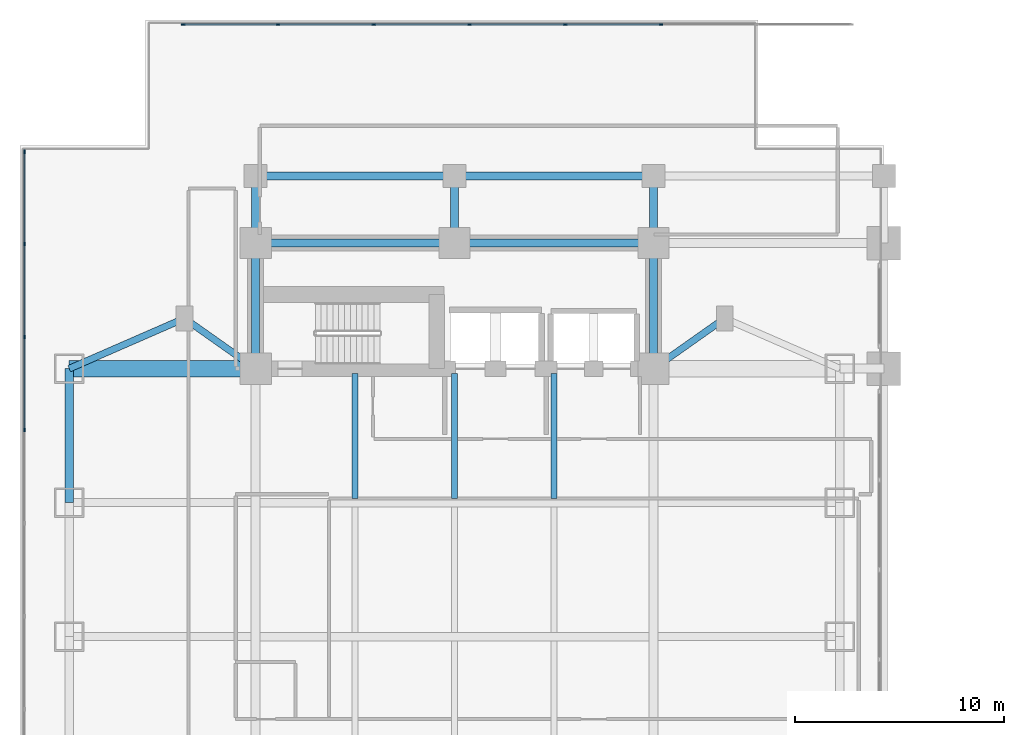
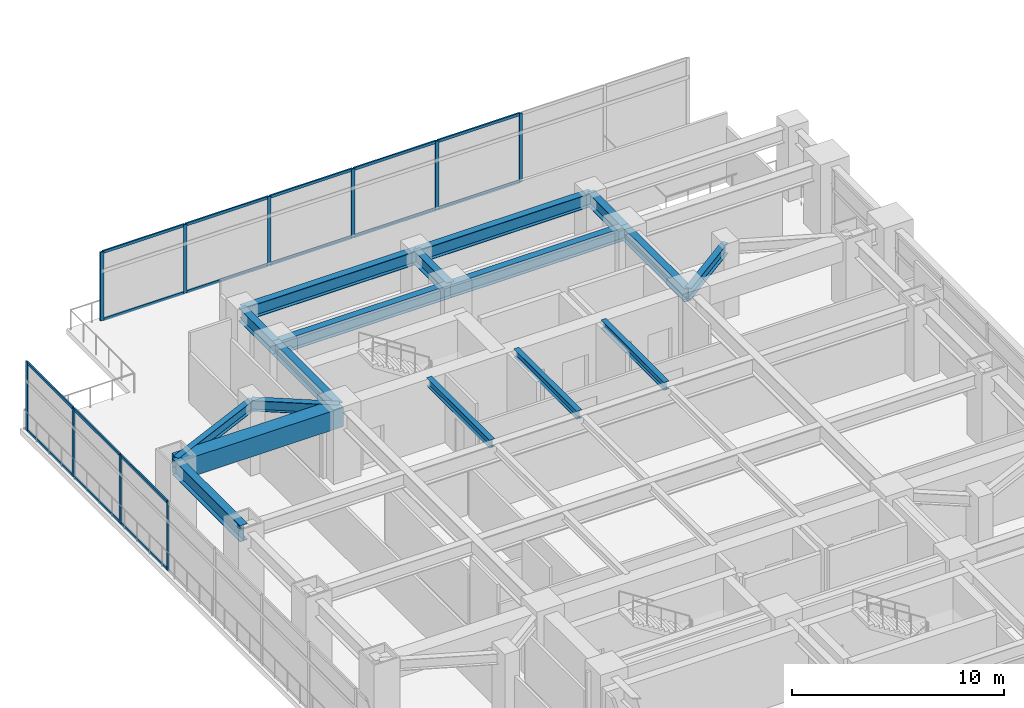
# One storey, part 6 of 31: 26 members, 17 beams, 2 elements without a shape of their own.
"""IFC4 building model written with IfcOpenShell, lengths in metres."""

from ifc_helpers import new_model, si_unit, direction, frame, origin, origin_2d, place, context, subcontext, project, spatial, rectangle, i_section, extrude, material, material_profile, profile_set, type_object, element, aggregate, save


model = new_model("IFC4")

# Units and contexts
model_context = context("Model", 3, precision=1e-05, world=origin(), true_north=direction((0.0, 1.0)))
body_context = subcontext(model_context, "Body", "Model", "MODEL_VIEW")
ifc_project = project(units=[si_unit("LENGTHUNIT", "METRE"), si_unit("AREAUNIT", "SQUARE_METRE"), si_unit("VOLUMEUNIT", "CUBIC_METRE"), si_unit("PLANEANGLEUNIT", "RADIAN"), si_unit("MASSUNIT", "GRAM", prefix="KILO")], contexts=[model_context])

# Site, building, storey
site_placement = place(None, origin())
site = spatial("IfcSite", under=ifc_project, at=site_placement, CompositionType="ELEMENT")
building_placement = place(site_placement, origin())
building = spatial("IfcBuilding", under=site, at=building_placement, Name="Mirazonda Arch Towers", CompositionType="ELEMENT")
storey_placement = place(building_placement, frame((0.0, 0.0, 5.199951171875)))
storey = spatial("IfcBuildingStorey", under=building, at=storey_placement, Name="L01", CompositionType="ELEMENT", Elevation=5.199951171875)

# Beams
ifc_material_1 = material(Name="Steel ASTM A992 Grade 50", Category="steel")
ifc_material_profile_1 = material_profile(ifc_material_1, i_section(OverallWidth=0.381103515625, OverallDepth=0.77294921875, WebThickness=0.0166015625, FlangeThickness=0.027099609375, at=origin_2d()), Name="W30X173")
ifc_profile_set_1 = profile_set([ifc_material_profile_1], Name="Steel ASTM A992 Grade 50")
beam_type_1 = type_object("IfcBeamType", Name="BM-EXT-W30X173", PredefinedType="USERDEFINED", material=ifc_profile_set_1)
for number, where, z_axis, x_axis, name in (
    (1, (11.0, 46.800048828125, 3.593505859375), (1.0, 0.0, 0.0), (0.0, 1.0, 0.0), "L01 Floor Beam BM-POD-L01-PN-1"),
    (2, (20.5, 46.800048828125, 3.593505859375), (1.0, 0.0, 0.0), (0.0, 1.0, 0.0), "L01 Floor Beam BM-POD-L01-PN-2"),
):
    element("IfcBeam", number, at=place(storey_placement, frame(where, z_axis=z_axis, x_axis=x_axis)), inside=storey, type_object=beam_type_1, Name=name, ObjectType="GIRDER", PredefinedType="USERDEFINED", context=body_context, shape_type="SweptSolid", body=[
        extrude(i_section(OverallWidth=0.381103515625, OverallDepth=0.77294921875, WebThickness=0.0166015625, FlangeThickness=0.027099609375, at=origin_2d()), origin(), (0.0, 0.0, 1.0), 9.5),
    ])
ifc_material_profile_2 = material_profile(ifc_material_1, i_section(OverallWidth=0.41796875, OverallDepth=0.927001953125, WebThickness=0.019287109375, FlangeThickness=0.031982421875, at=origin_2d()), Name="W36X231")
ifc_profile_set_2 = profile_set([ifc_material_profile_2], Name="Steel ASTM A992 Grade 50")
beam_type_2 = type_object("IfcBeamType", Name="BM-EXT-W36X231", PredefinedType="USERDEFINED", material=ifc_profile_set_2)
beam_1_placement = place(storey_placement, frame((2.10009765625, 31.199951171875, 3.5166015625), z_axis=(0.0, 1.0, 0.0), x_axis=(-1.0, 0.0, 0.0)))
element("IfcBeam", 3, at=beam_1_placement, inside=storey, type_object=beam_type_2, Name="L01 Floor Beam BM-T1-L01-NS-W-31", ObjectType="GIRDER", PredefinedType="USERDEFINED", context=body_context, shape_type="SweptSolid", body=[
    extrude(i_section(OverallWidth=0.41796875, OverallDepth=0.927001953125, WebThickness=0.019287109375, FlangeThickness=0.031982421875, at=origin_2d()), origin(), (0.0, 0.0, 1.0), 6.400146484375),
])
ifc_material_profile_3 = material_profile(ifc_material_1, i_section(OverallWidth=0.280029296875, OverallDepth=0.462890625, WebThickness=0.0107421875, FlangeThickness=0.017333984375, at=origin_2d()), Name="W18X76")
ifc_profile_set_3 = profile_set([ifc_material_profile_3], Name="Steel ASTM A992 Grade 50")
beam_type_3 = type_object("IfcBeamType", Name="BM-INT-W18X76", PredefinedType="JOIST", material=ifc_profile_set_3)
for number, where, z_axis, x_axis, name in (
    (4, (15.75, 31.406005859375, 3.74853515625), (0.0, 1.0, 0.0), (-1.0, 0.0, 0.0), "L01 Floor Beam BM-T1-L01-J-157-31"),
    (5, (20.5, 31.406005859375, 3.74853515625), (0.0, 1.0, 0.0), (-1.0, 0.0, 0.0), "L01 Floor Beam BM-T1-L01-J-205-31"),
    (6, (25.25, 31.406005859375, 3.74853515625), (0.0, 1.0, 0.0), (-1.0, 0.0, 0.0), "L01 Floor Beam BM-T1-L01-J-252-31"),
):
    element("IfcBeam", number, at=place(storey_placement, frame(where, z_axis=z_axis, x_axis=x_axis)), inside=storey, type_object=beam_type_3, Name=name, PredefinedType="JOIST", context=body_context, shape_type="SweptSolid", body=[
        extrude(i_section(OverallWidth=0.280029296875, OverallDepth=0.462890625, WebThickness=0.0107421875, FlangeThickness=0.017333984375, at=origin_2d()), origin(), (0.0, 0.0, 1.0), 5.9541015625),
    ])
ifc_material_profile_4 = material_profile(ifc_material_1, i_section(OverallWidth=0.324951171875, OverallDepth=0.615966796875, WebThickness=0.013916015625, FlangeThickness=0.021484375, at=origin_2d()), Name="W24X117")
ifc_profile_set_4 = profile_set([ifc_material_profile_4], Name="Steel ASTM A992 Grade 50")
beam_type_4 = type_object("IfcBeamType", Name="BM-INT-W24X117", PredefinedType="BEAM", material=ifc_profile_set_4)
beam_2_placement = place(storey_placement, frame((7.60009765625, 40.0, 3.672119140625), z_axis=(0.816971114901, -0.576678591087, 0.0), x_axis=(0.576678591087, 0.816971114901, 0.0)))
element("IfcBeam", 7, at=beam_2_placement, inside=storey, type_object=beam_type_4, Name="L01 Floor Beam BM-T1-L01-PL-NW1", PredefinedType="BEAM", context=body_context, shape_type="SweptSolid", body=[
    extrude(i_section(OverallWidth=0.324951171875, OverallDepth=0.615966796875, WebThickness=0.013916015625, FlangeThickness=0.021484375, at=origin_2d()), origin(), (0.0, 0.0, 1.0), 4.16162109375),
])
beam_3_placement = place(storey_placement, frame((7.60009765625, 40.0, 3.672119140625), z_axis=(-0.916545343703, -0.399930785183, 0.0), x_axis=(0.399930785183, -0.916545343703, 0.0)))
element("IfcBeam", 8, at=beam_3_placement, inside=storey, type_object=beam_type_4, Name="L01 Floor Beam BM-T1-L01-PL-NW2", PredefinedType="BEAM", context=body_context, shape_type="SweptSolid", body=[
    extrude(i_section(OverallWidth=0.324951171875, OverallDepth=0.615966796875, WebThickness=0.013916015625, FlangeThickness=0.021484375, at=origin_2d()), origin(), (0.0, 0.0, 1.0), 6.000732421875),
])
beam_4_placement = place(storey_placement, frame((33.39990234375, 40.0, 3.672119140625), z_axis=(-0.816971114901, -0.576678591087, 0.0), x_axis=(0.576678591087, -0.816971114901, 0.0)))
element("IfcBeam", 9, at=beam_4_placement, inside=storey, type_object=beam_type_4, Name="L01 Floor Beam BM-T1-L01-PL-NE1", PredefinedType="BEAM", context=body_context, shape_type="SweptSolid", body=[
    extrude(i_section(OverallWidth=0.324951171875, OverallDepth=0.615966796875, WebThickness=0.013916015625, FlangeThickness=0.021484375, at=origin_2d()), origin(), (0.0, 0.0, 1.0), 4.16162109375),
])
ifc_material_profile_5 = material_profile(ifc_material_1, i_section(OverallWidth=0.381103515625, OverallDepth=0.77294921875, WebThickness=0.0166015625, FlangeThickness=0.027099609375, at=origin_2d()), Name="W30X173")
ifc_profile_set_5 = profile_set([ifc_material_profile_5], Name="Steel ASTM A992 Grade 50")
beam_type_5 = type_object("IfcBeamType", Name="BM-INT-W30X173", PredefinedType="USERDEFINED", material=ifc_profile_set_5)
for number, where, z_axis, x_axis, name in (
    (10, (11.0, 43.60009765625, 3.593505859375), (1.0, 0.0, 0.0), (0.0, 1.0, 0.0), "L01 Floor Beam BM-T1-L01-CN1"),
    (11, (20.5, 43.60009765625, 3.593505859375), (1.0, 0.0, 0.0), (0.0, 1.0, 0.0), "L01 Floor Beam BM-T1-L01-CN2"),
):
    element("IfcBeam", number, at=place(storey_placement, frame(where, z_axis=z_axis, x_axis=x_axis)), inside=storey, type_object=beam_type_5, Name=name, ObjectType="GIRDER", PredefinedType="USERDEFINED", context=body_context, shape_type="SweptSolid", body=[
        extrude(i_section(OverallWidth=0.381103515625, OverallDepth=0.77294921875, WebThickness=0.0166015625, FlangeThickness=0.027099609375, at=origin_2d()), origin(), (0.0, 0.0, 1.0), 9.5),
    ])
for number, where, z_axis, x_axis, name in (
    (12, (11.0, 37.60009765625, 3.593505859375), (0.0, 1.0, 0.0), (-1.0, 0.0, 0.0), "L01 Floor Beam BM-T1-L01-CNW"),
    (13, (30.0, 37.60009765625, 3.593505859375), (0.0, 1.0, 0.0), (-1.0, 0.0, 0.0), "L01 Floor Beam BM-T1-L01-CNE"),
):
    element("IfcBeam", number, at=place(storey_placement, frame(where, z_axis=z_axis, x_axis=x_axis)), inside=storey, type_object=beam_type_5, Name=name, ObjectType="GIRDER", PredefinedType="USERDEFINED", context=body_context, shape_type="SweptSolid", body=[
        extrude(i_section(OverallWidth=0.381103515625, OverallDepth=0.77294921875, WebThickness=0.0166015625, FlangeThickness=0.027099609375, at=origin_2d()), origin(), (0.0, 0.0, 1.0), 6.0),
    ])
for number, where, z_axis, x_axis, name in (
    (14, (11.0, 43.60009765625, 3.593505859375), (0.0, 1.0, 0.0), (-1.0, 0.0, 0.0), "L01 Floor Beam BM-POD-L01-PCN-1"),
    (15, (20.5, 43.60009765625, 3.593505859375), (0.0, 1.0, 0.0), (-1.0, 0.0, 0.0), "L01 Floor Beam BM-POD-L01-PCN-2"),
    (16, (30.0, 43.60009765625, 3.593505859375), (0.0, 1.0, 0.0), (-1.0, 0.0, 0.0), "L01 Floor Beam BM-POD-L01-PCN-3"),
):
    element("IfcBeam", number, at=place(storey_placement, frame(where, z_axis=z_axis, x_axis=x_axis)), inside=storey, type_object=beam_type_5, Name=name, ObjectType="GIRDER", PredefinedType="USERDEFINED", context=body_context, shape_type="SweptSolid", body=[
        extrude(i_section(OverallWidth=0.381103515625, OverallDepth=0.77294921875, WebThickness=0.0166015625, FlangeThickness=0.027099609375, at=origin_2d()), origin(), (0.0, 0.0, 1.0), 3.199951171875),
    ])
ifc_material_2 = material(Name="Concrete C60/75", Category="concrete")
ifc_material_profile_6 = material_profile(ifc_material_2, rectangle(XDim=0.800048828125, YDim=1.10009765625, at=origin_2d()), Name="RCCB800x1100")
ifc_profile_set_6 = profile_set([ifc_material_profile_6], Name="Concrete C60/75")
beam_type_6 = type_object("IfcBeamType", Name="CB-INT-RCCB800x1100", PredefinedType="SPANDREL", material=ifc_profile_set_6)
beam_5_placement = place(storey_placement, frame((2.10009765625, 37.60009765625, 3.429931640625), z_axis=(1.0, 0.0, 0.0), x_axis=(0.0, 1.0, 0.0)))
element("IfcBeam", 17, at=beam_5_placement, inside=storey, type_object=beam_type_6, Name="L01 Floor Beam CB-T1-L01-NW", PredefinedType="SPANDREL", context=body_context, shape_type="SweptSolid", body=[
    extrude(rectangle(XDim=0.800048828125, YDim=1.10009765625, at=origin_2d()), origin(), (0.0, 0.0, 1.0), 8.89990234375),
])

# Curtain wall, members
ifc_material_3 = material(Name="Anodised Aluminium and Low-E Glass", Category="aluminium")
curtain_wall_type = type_object("IfcCurtainWallType", Name="CW-POD-STORE", PredefinedType="NOTDEFINED", material=ifc_material_3)
curtain_wall_1_placement = place(storey_placement, origin())
curtain_wall_1 = element("IfcCurtainWall", 18, at=curtain_wall_1_placement, inside=storey, type_object=curtain_wall_type, Name="L01 Curtain Wall CW-L01-WN", PredefinedType="NOTDEFINED")
ifc_material_4 = material(Name="Anodised Aluminium Alloy", Category="aluminium")
ifc_material_profile_7 = material_profile(ifc_material_4, rectangle(XDim=0.080078125, YDim=0.179931640625, at=origin_2d()), Name="ALU-MULL-80x180")
ifc_profile_set_7 = profile_set([ifc_material_profile_7], Name="Anodised Aluminium Alloy")
member_type_1 = type_object("IfcMemberType", Name="MULL-CW-POD-STORE", PredefinedType="MULLION", material=ifc_profile_set_7)
member_1_placement = place(storey_placement, frame((7.5400390625, 54.030029296875, 0.0), z_axis=(0.0, 0.0, 1.0), x_axis=(0.0, 1.0, 0.0)))
member_1 = element("IfcMember", 19, at=member_1_placement, type_object=member_type_1, Name="CW-102 mullion 1", PredefinedType="MULLION", context=body_context, shape_type="SweptSolid", body=[
    extrude(rectangle(XDim=0.080078125, YDim=0.179931640625, at=origin_2d()), origin(), (0.0, 0.0, 1.0), 3.9599609375),
])
member_2_placement = place(storey_placement, frame((12.071533203125, 54.030029296875, 0.0), z_axis=(0.0, 0.0, 1.0), x_axis=(0.0, 1.0, 0.0)))
member_2 = element("IfcMember", 20, at=member_2_placement, type_object=member_type_1, Name="CW-102 mullion 2", PredefinedType="MULLION", context=body_context, shape_type="SweptSolid", body=[
    extrude(rectangle(XDim=0.080078125, YDim=0.179931640625, at=origin_2d()), origin(), (0.0, 0.0, 1.0), 3.9599609375),
])
member_3_placement = place(storey_placement, frame((16.642822265625, 54.030029296875, 0.0), z_axis=(0.0, 0.0, 1.0), x_axis=(0.0, 1.0, 0.0)))
member_3 = element("IfcMember", 21, at=member_3_placement, type_object=member_type_1, Name="CW-102 mullion 3", PredefinedType="MULLION", context=body_context, shape_type="SweptSolid", body=[
    extrude(rectangle(XDim=0.080078125, YDim=0.179931640625, at=origin_2d()), origin(), (0.0, 0.0, 1.0), 3.9599609375),
])
member_4_placement = place(storey_placement, frame((21.21435546875, 54.030029296875, 0.0), z_axis=(0.0, 0.0, 1.0), x_axis=(0.0, 1.0, 0.0)))
member_4 = element("IfcMember", 22, at=member_4_placement, type_object=member_type_1, Name="CW-102 mullion 4", PredefinedType="MULLION", context=body_context, shape_type="SweptSolid", body=[
    extrude(rectangle(XDim=0.080078125, YDim=0.179931640625, at=origin_2d()), origin(), (0.0, 0.0, 1.0), 3.9599609375),
])
member_5_placement = place(storey_placement, frame((25.78564453125, 54.030029296875, 0.0), z_axis=(0.0, 0.0, 1.0), x_axis=(0.0, 1.0, 0.0)))
member_5 = element("IfcMember", 23, at=member_5_placement, type_object=member_type_1, Name="CW-102 mullion 5", PredefinedType="MULLION", context=body_context, shape_type="SweptSolid", body=[
    extrude(rectangle(XDim=0.080078125, YDim=0.179931640625, at=origin_2d()), origin(), (0.0, 0.0, 1.0), 3.9599609375),
])
member_6_placement = place(storey_placement, frame((30.357177734375, 54.030029296875, 0.0), z_axis=(0.0, 0.0, 1.0), x_axis=(0.0, 1.0, 0.0)))
member_6 = element("IfcMember", 24, at=member_6_placement, type_object=member_type_1, Name="CW-102 mullion 6", PredefinedType="MULLION", context=body_context, shape_type="SweptSolid", body=[
    extrude(rectangle(XDim=0.080078125, YDim=0.179931640625, at=origin_2d()), origin(), (0.0, 0.0, 1.0), 3.9599609375),
])

curtain_wall_2_placement = place(storey_placement, origin())
curtain_wall_2 = element("IfcCurtainWall", 25, at=curtain_wall_2_placement, inside=storey, type_object=curtain_wall_type, Name="L01 Curtain Wall CW-L01-WW", PredefinedType="NOTDEFINED")
member_7_placement = place(storey_placement, frame((-0.030029296875, 47.9599609375, 0.0), z_axis=(0.0, 0.0, 1.0), x_axis=(1.0, 0.0, 0.0)))
member_7 = element("IfcMember", 26, at=member_7_placement, type_object=member_type_1, Name="CW-102 mullion 1", PredefinedType="MULLION", context=body_context, shape_type="SweptSolid", body=[
    extrude(rectangle(XDim=0.080078125, YDim=0.179931640625, at=origin_2d()), origin(), (0.0, 0.0, 1.0), 3.9599609375),
])
member_8_placement = place(storey_placement, frame((-0.030029296875, 43.5556640625, 0.0), z_axis=(0.0, 0.0, 1.0), x_axis=(1.0, 0.0, 0.0)))
member_8 = element("IfcMember", 27, at=member_8_placement, type_object=member_type_1, Name="CW-102 mullion 2", PredefinedType="MULLION", context=body_context, shape_type="SweptSolid", body=[
    extrude(rectangle(XDim=0.080078125, YDim=0.179931640625, at=origin_2d()), origin(), (0.0, 0.0, 1.0), 3.9599609375),
])
member_9_placement = place(storey_placement, frame((-0.030029296875, 39.111083984375, 0.0), z_axis=(0.0, 0.0, 1.0), x_axis=(1.0, 0.0, 0.0)))
member_9 = element("IfcMember", 28, at=member_9_placement, type_object=member_type_1, Name="CW-102 mullion 3", PredefinedType="MULLION", context=body_context, shape_type="SweptSolid", body=[
    extrude(rectangle(XDim=0.080078125, YDim=0.179931640625, at=origin_2d()), origin(), (0.0, 0.0, 1.0), 3.9599609375),
])
member_10_placement = place(storey_placement, frame((-0.030029296875, 34.666748046875, 0.0), z_axis=(0.0, 0.0, 1.0), x_axis=(1.0, 0.0, 0.0)))
member_10 = element("IfcMember", 29, at=member_10_placement, type_object=member_type_1, Name="CW-102 mullion 4", PredefinedType="MULLION", context=body_context, shape_type="SweptSolid", body=[
    extrude(rectangle(XDim=0.080078125, YDim=0.179931640625, at=origin_2d()), origin(), (0.0, 0.0, 1.0), 3.9599609375),
])

# Member
ifc_material_profile_8 = material_profile(ifc_material_4, rectangle(XDim=0.080078125, YDim=0.159912109375, at=origin_2d()), Name="ALU-TRAN-80x160")
ifc_profile_set_8 = profile_set([ifc_material_profile_8], Name="Anodised Aluminium Alloy")
member_type_2 = type_object("IfcMemberType", Name="TRAN-CW-POD-STORE", PredefinedType="USERDEFINED", material=ifc_profile_set_8)
member_11_placement = place(storey_placement, frame((7.580078125, 54.030029296875, 0.0400390625), z_axis=(1.0, 0.0, 0.0), x_axis=(0.0, 1.0, 0.0)))
member_11 = element("IfcMember", 30, at=member_11_placement, type_object=member_type_2, Name="CW-102 transom 1.1", ObjectType="TRANSOM", PredefinedType="USERDEFINED", context=body_context, shape_type="SweptSolid", body=[
    extrude(rectangle(XDim=0.080078125, YDim=0.159912109375, at=origin_2d()), origin(), (0.0, 0.0, 1.0), 4.451416015625),
])

member_12_placement = place(storey_placement, frame((7.580078125, 54.030029296875, 3.920166015625), z_axis=(1.0, 0.0, 0.0), x_axis=(0.0, 1.0, 0.0)))
member_12 = element("IfcMember", 31, at=member_12_placement, type_object=member_type_2, Name="CW-102 transom 1.2", ObjectType="TRANSOM", PredefinedType="USERDEFINED", context=body_context, shape_type="SweptSolid", body=[
    extrude(rectangle(XDim=0.080078125, YDim=0.159912109375, at=origin_2d()), origin(), (0.0, 0.0, 1.0), 4.451416015625),
])

member_13_placement = place(storey_placement, frame((12.111328125, 54.030029296875, 0.0400390625), z_axis=(1.0, 0.0, 0.0), x_axis=(0.0, 1.0, 0.0)))
member_13 = element("IfcMember", 32, at=member_13_placement, type_object=member_type_2, Name="CW-102 transom 2.1", ObjectType="TRANSOM", PredefinedType="USERDEFINED", context=body_context, shape_type="SweptSolid", body=[
    extrude(rectangle(XDim=0.080078125, YDim=0.159912109375, at=origin_2d()), origin(), (0.0, 0.0, 1.0), 4.491455078125),
])

member_14_placement = place(storey_placement, frame((12.111328125, 54.030029296875, 3.920166015625), z_axis=(1.0, 0.0, 0.0), x_axis=(0.0, 1.0, 0.0)))
member_14 = element("IfcMember", 33, at=member_14_placement, type_object=member_type_2, Name="CW-102 transom 2.2", ObjectType="TRANSOM", PredefinedType="USERDEFINED", context=body_context, shape_type="SweptSolid", body=[
    extrude(rectangle(XDim=0.080078125, YDim=0.159912109375, at=origin_2d()), origin(), (0.0, 0.0, 1.0), 4.491455078125),
])

member_15_placement = place(storey_placement, frame((16.682861328125, 54.030029296875, 0.0400390625), z_axis=(1.0, 0.0, 0.0), x_axis=(0.0, 1.0, 0.0)))
member_15 = element("IfcMember", 34, at=member_15_placement, type_object=member_type_2, Name="CW-102 transom 3.1", ObjectType="TRANSOM", PredefinedType="USERDEFINED", context=body_context, shape_type="SweptSolid", body=[
    extrude(rectangle(XDim=0.080078125, YDim=0.159912109375, at=origin_2d()), origin(), (0.0, 0.0, 1.0), 4.491455078125),
])

member_16_placement = place(storey_placement, frame((16.682861328125, 54.030029296875, 3.920166015625), z_axis=(1.0, 0.0, 0.0), x_axis=(0.0, 1.0, 0.0)))
member_16 = element("IfcMember", 35, at=member_16_placement, type_object=member_type_2, Name="CW-102 transom 3.2", ObjectType="TRANSOM", PredefinedType="USERDEFINED", context=body_context, shape_type="SweptSolid", body=[
    extrude(rectangle(XDim=0.080078125, YDim=0.159912109375, at=origin_2d()), origin(), (0.0, 0.0, 1.0), 4.491455078125),
])

member_17_placement = place(storey_placement, frame((21.25439453125, 54.030029296875, 0.0400390625), z_axis=(1.0, 0.0, 0.0), x_axis=(0.0, 1.0, 0.0)))
member_17 = element("IfcMember", 36, at=member_17_placement, type_object=member_type_2, Name="CW-102 transom 4.1", ObjectType="TRANSOM", PredefinedType="USERDEFINED", context=body_context, shape_type="SweptSolid", body=[
    extrude(rectangle(XDim=0.080078125, YDim=0.159912109375, at=origin_2d()), origin(), (0.0, 0.0, 1.0), 4.4912109375),
])

member_18_placement = place(storey_placement, frame((21.25439453125, 54.030029296875, 3.920166015625), z_axis=(1.0, 0.0, 0.0), x_axis=(0.0, 1.0, 0.0)))
member_18 = element("IfcMember", 37, at=member_18_placement, type_object=member_type_2, Name="CW-102 transom 4.2", ObjectType="TRANSOM", PredefinedType="USERDEFINED", context=body_context, shape_type="SweptSolid", body=[
    extrude(rectangle(XDim=0.080078125, YDim=0.159912109375, at=origin_2d()), origin(), (0.0, 0.0, 1.0), 4.4912109375),
])

member_19_placement = place(storey_placement, frame((25.82568359375, 54.030029296875, 0.0400390625), z_axis=(1.0, 0.0, 0.0), x_axis=(0.0, 1.0, 0.0)))
member_19 = element("IfcMember", 38, at=member_19_placement, type_object=member_type_2, Name="CW-102 transom 5.1", ObjectType="TRANSOM", PredefinedType="USERDEFINED", context=body_context, shape_type="SweptSolid", body=[
    extrude(rectangle(XDim=0.080078125, YDim=0.159912109375, at=origin_2d()), origin(), (0.0, 0.0, 1.0), 4.491455078125),
])

member_20_placement = place(storey_placement, frame((25.82568359375, 54.030029296875, 3.920166015625), z_axis=(1.0, 0.0, 0.0), x_axis=(0.0, 1.0, 0.0)))
member_20 = element("IfcMember", 39, at=member_20_placement, type_object=member_type_2, Name="CW-102 transom 5.2", ObjectType="TRANSOM", PredefinedType="USERDEFINED", context=body_context, shape_type="SweptSolid", body=[
    extrude(rectangle(XDim=0.080078125, YDim=0.159912109375, at=origin_2d()), origin(), (0.0, 0.0, 1.0), 4.491455078125),
])

aggregate(curtain_wall_1, [member_1, member_2, member_3, member_4, member_5, member_6, member_11, member_12, member_13, member_14, member_15, member_16, member_17, member_18, member_19, member_20])

member_21_placement = place(storey_placement, frame((-0.030029296875, 47.919921875, 0.0400390625), z_axis=(0.0, -1.0, 0.0), x_axis=(1.0, 0.0, 0.0)))
member_21 = element("IfcMember", 40, at=member_21_placement, type_object=member_type_2, Name="CW-102 transom 1.1", ObjectType="TRANSOM", PredefinedType="USERDEFINED", context=body_context, shape_type="SweptSolid", body=[
    extrude(rectangle(XDim=0.080078125, YDim=0.159912109375, at=origin_2d()), origin(), (0.0, 0.0, 1.0), 4.324462890625),
])

member_22_placement = place(storey_placement, frame((-0.030029296875, 47.919921875, 3.920166015625), z_axis=(0.0, -1.0, 0.0), x_axis=(1.0, 0.0, 0.0)))
member_22 = element("IfcMember", 41, at=member_22_placement, type_object=member_type_2, Name="CW-102 transom 1.2", ObjectType="TRANSOM", PredefinedType="USERDEFINED", context=body_context, shape_type="SweptSolid", body=[
    extrude(rectangle(XDim=0.080078125, YDim=0.159912109375, at=origin_2d()), origin(), (0.0, 0.0, 1.0), 4.324462890625),
])

member_23_placement = place(storey_placement, frame((-0.030029296875, 43.515625, 0.0400390625), z_axis=(0.0, -1.0, 0.0), x_axis=(1.0, 0.0, 0.0)))
member_23 = element("IfcMember", 42, at=member_23_placement, type_object=member_type_2, Name="CW-102 transom 2.1", ObjectType="TRANSOM", PredefinedType="USERDEFINED", context=body_context, shape_type="SweptSolid", body=[
    extrude(rectangle(XDim=0.080078125, YDim=0.159912109375, at=origin_2d()), origin(), (0.0, 0.0, 1.0), 4.364501953125),
])

member_24_placement = place(storey_placement, frame((-0.030029296875, 43.515625, 3.920166015625), z_axis=(0.0, -1.0, 0.0), x_axis=(1.0, 0.0, 0.0)))
member_24 = element("IfcMember", 43, at=member_24_placement, type_object=member_type_2, Name="CW-102 transom 2.2", ObjectType="TRANSOM", PredefinedType="USERDEFINED", context=body_context, shape_type="SweptSolid", body=[
    extrude(rectangle(XDim=0.080078125, YDim=0.159912109375, at=origin_2d()), origin(), (0.0, 0.0, 1.0), 4.364501953125),
])

member_25_placement = place(storey_placement, frame((-0.030029296875, 39.071044921875, 0.0400390625), z_axis=(0.0, -1.0, 0.0), x_axis=(1.0, 0.0, 0.0)))
member_25 = element("IfcMember", 44, at=member_25_placement, type_object=member_type_2, Name="CW-102 transom 3.1", ObjectType="TRANSOM", PredefinedType="USERDEFINED", context=body_context, shape_type="SweptSolid", body=[
    extrude(rectangle(XDim=0.080078125, YDim=0.159912109375, at=origin_2d()), origin(), (0.0, 0.0, 1.0), 4.3642578125),
])

member_26_placement = place(storey_placement, frame((-0.030029296875, 39.071044921875, 3.920166015625), z_axis=(0.0, -1.0, 0.0), x_axis=(1.0, 0.0, 0.0)))
member_26 = element("IfcMember", 45, at=member_26_placement, type_object=member_type_2, Name="CW-102 transom 3.2", ObjectType="TRANSOM", PredefinedType="USERDEFINED", context=body_context, shape_type="SweptSolid", body=[
    extrude(rectangle(XDim=0.080078125, YDim=0.159912109375, at=origin_2d()), origin(), (0.0, 0.0, 1.0), 4.3642578125),
])

aggregate(curtain_wall_2, [member_7, member_8, member_9, member_10, member_21, member_22, member_23, member_24, member_25, member_26])

save(model, "model.ifc")
